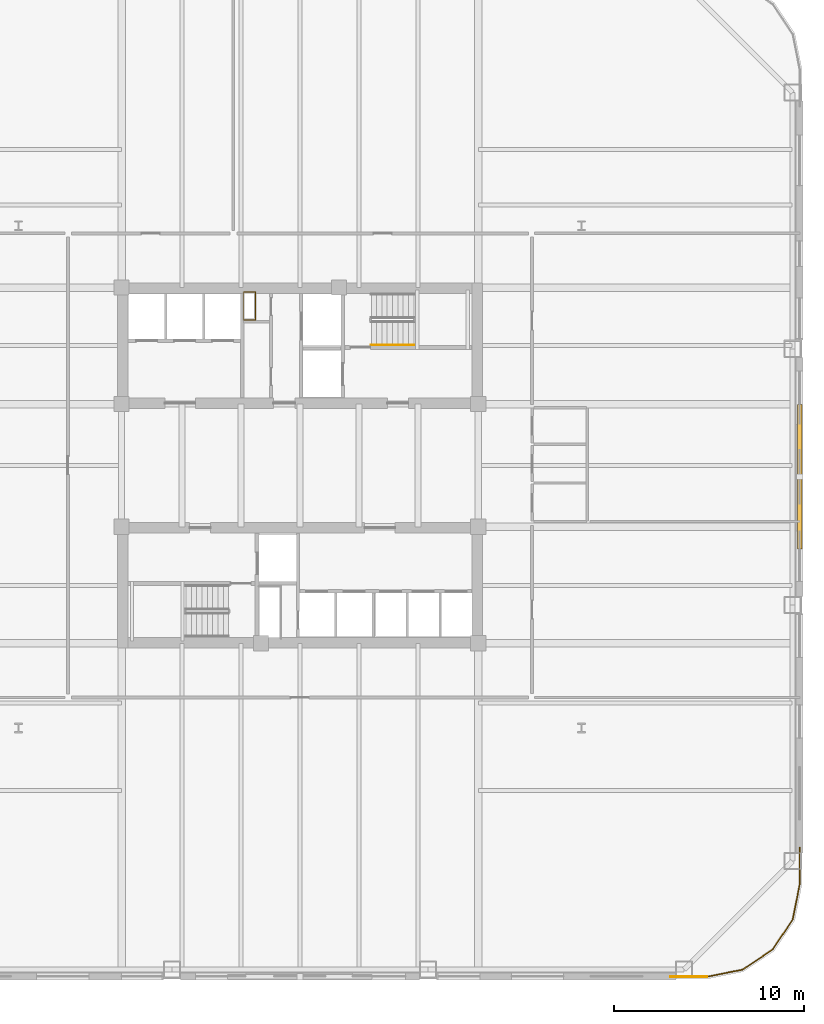
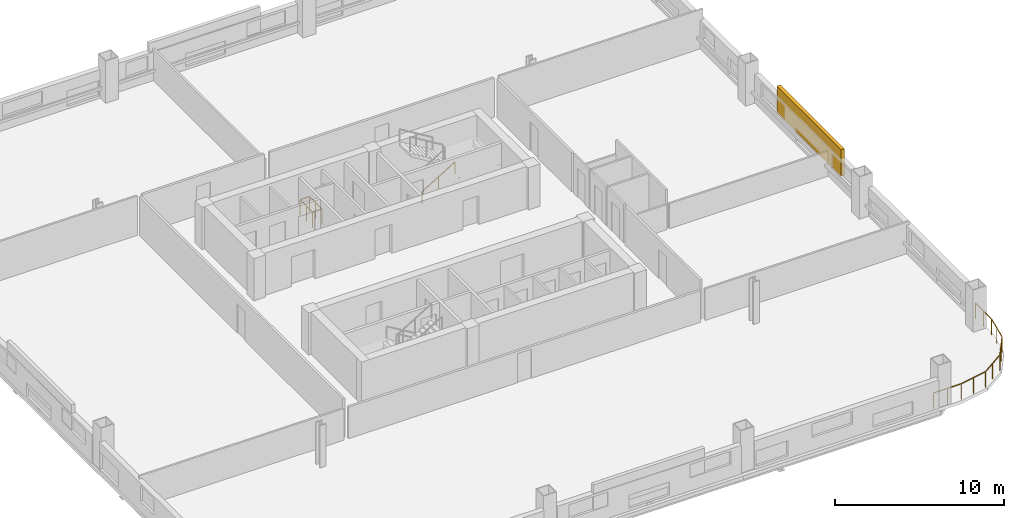
# One storey, part 8 of 11: 4 railings, 1 shading device.
"""IFC4 building model written with IfcOpenShell, lengths in metres."""

from ifc_helpers import new_model, si_unit, direction, frame, origin, origin_2d, place, context, subcontext, project, spatial, rectangle, extrude, material, type_object, element, save


model = new_model("IFC4")

# Units and contexts
model_context = context("Model", 3, precision=1e-05, world=origin(), true_north=direction((0.0, 1.0)))
body_context = subcontext(model_context, "Body", "Model", "MODEL_VIEW")
ifc_project = project(units=[si_unit("LENGTHUNIT", "METRE"), si_unit("AREAUNIT", "SQUARE_METRE"), si_unit("VOLUMEUNIT", "CUBIC_METRE"), si_unit("PLANEANGLEUNIT", "RADIAN"), si_unit("MASSUNIT", "GRAM", prefix="KILO")], contexts=[model_context])

# Site, building, storey
site_placement = place(None, origin())
site = spatial("IfcSite", under=ifc_project, at=site_placement, CompositionType="ELEMENT")
building_placement = place(site_placement, origin())
building = spatial("IfcBuilding", under=site, at=building_placement, Name="Qhalaya Broadcast Tower", CompositionType="ELEMENT")
storey_placement = place(building_placement, frame((0.0, 0.0, 29.14990234375)))
storey = spatial("IfcBuildingStorey", under=building, at=storey_placement, Name="L07", CompositionType="ELEMENT", Elevation=29.14990234375)

# Railings
ifc_material_1 = material(Name="Powder-Coated Galvanised Steel", Category="steel")
railing_type_1 = type_object("IfcRailingType", Name="Stair Wall Handrail 900", PredefinedType="HANDRAIL", material=ifc_material_1)
railing_1_placement = place(storey_placement, frame((3.75, 6.929931640625, 0.16943359375)))
element("IfcRailing", 1, at=railing_1_placement, inside=storey, type_object=railing_type_1, Name="L07 ST-1 Stair Handrail 1", PredefinedType="HANDRAIL", context=body_context, shape_type="SweptSolid", body=[
    extrude(rectangle(XDim=0.048095703125, YDim=0.048095703125, at=origin_2d()), frame((0.0, 0.0, 0.8759765625), z_axis=(0.855512035549, 0.0, 0.517782924622), x_axis=(0.0, 1.0, 0.0)), (0.0, 0.0, 1.0), 2.618408203125),
    extrude(rectangle(XDim=0.0419921875, YDim=0.0419921875, at=origin_2d()), origin(), (0.0, 0.0, 1.0), 0.849853515625),
    extrude(rectangle(XDim=0.0419921875, YDim=0.0419921875, at=origin_2d()), frame((1.1201171875, 0.0, 0.677734375)), (0.0, 0.0, 1.0), 0.849853515625),
    extrude(rectangle(XDim=0.0419921875, YDim=0.0419921875, at=origin_2d()), frame((2.239990234375, 0.0, 1.355712890625)), (0.0, 0.0, 1.0), 0.849853515625),
])
railing_type_2 = type_object("IfcRailingType", Name="Stair Well & Landing Guardrail 1100", PredefinedType="GUARDRAIL", material=ifc_material_1)
railing_2_placement = place(storey_placement, frame((-2.340087890625, 8.239990234375, 0.0)))
element("IfcRailing", 2, at=railing_2_placement, inside=storey, type_object=railing_type_2, Name="L07 Service Riser Opening Safety Guard NRSR", PredefinedType="GUARDRAIL", context=body_context, shape_type="SweptSolid", body=[
    extrude(rectangle(XDim=0.048095703125, YDim=0.048095703125, at=origin_2d()), frame((0.0, 0.02880859375, 1.1259765625), z_axis=(0.0, 1.0, 0.0), x_axis=(-1.0, 0.0, 0.0)), (0.0, 0.0, 1.0), 1.42236328125),
    extrude(rectangle(XDim=0.048095703125, YDim=0.048095703125, at=origin_2d()), frame((-0.02880859375, 1.47998046875, 1.1259765625), z_axis=(-1.0, 0.0, 0.0), x_axis=(0.0, -1.0, 0.0)), (0.0, 0.0, 1.0), 0.582275390625),
    extrude(rectangle(XDim=0.048095703125, YDim=0.048095703125, at=origin_2d()), frame((-0.639892578125, 1.451171875, 1.1259765625), z_axis=(0.0, -1.0, 0.0), x_axis=(1.0, 0.0, 0.0)), (0.0, 0.0, 1.0), 1.42236328125),
    extrude(rectangle(XDim=0.048095703125, YDim=0.048095703125, at=origin_2d()), frame((-0.611083984375, 0.0, 1.1259765625), z_axis=(1.0, 0.0, 0.0), x_axis=(0.0, 1.0, 0.0)), (0.0, 0.0, 1.0), 0.582275390625),
    extrude(rectangle(XDim=0.0419921875, YDim=0.0419921875, at=origin_2d()), origin(), (0.0, 0.0, 1.0), 1.099853515625),
    extrude(rectangle(XDim=0.0419921875, YDim=0.0419921875, at=origin_2d()), frame((0.0, 0.739990234375, 0.0)), (0.0, 0.0, 1.0), 1.099853515625),
    extrude(rectangle(XDim=0.0419921875, YDim=0.0419921875, at=origin_2d()), frame((0.0, 1.47998046875, 0.0)), (0.0, 0.0, 1.0), 1.099853515625),
    extrude(rectangle(XDim=0.0419921875, YDim=0.0419921875, at=origin_2d()), frame((-0.639892578125, 1.47998046875, 0.0)), (0.0, 0.0, 1.0), 1.099853515625),
    extrude(rectangle(XDim=0.0419921875, YDim=0.0419921875, at=origin_2d()), frame((-0.639892578125, 0.739990234375, 0.0)), (0.0, 0.0, 1.0), 1.099853515625),
    extrude(rectangle(XDim=0.0419921875, YDim=0.0419921875, at=origin_2d()), frame((-0.639892578125, 0.0, 0.0)), (0.0, 0.0, 1.0), 1.099853515625),
])
railing_type_3 = type_object("IfcRailingType", Name="Terrace, Sky-Pool & Lookout Glass Balustrade 1150", PredefinedType="BALUSTRADE", material=ifc_material_1)
railing_3_placement = place(storey_placement, frame((21.38818359375, -26.280029296875, 0.0)))
element("IfcRailing", 3, at=railing_3_placement, inside=storey, type_object=railing_type_3, Name="L07 Rounded Corner Perimeter Guard 01", PredefinedType="BALUSTRADE", context=body_context, shape_type="SweptSolid", body=[
    extrude(rectangle(XDim=0.048095703125, YDim=0.048095703125, at=origin_2d()), frame((0.0, 0.0, 1.1259765625), z_axis=(-1.0, 0.0, 0.0), x_axis=(0.0, -1.0, 0.0)), (0.0, 0.0, 1.0), 1.90625),
    extrude(rectangle(XDim=0.0419921875, YDim=0.0419921875, at=origin_2d()), origin(), (0.0, 0.0, 1.0), 1.099853515625),
    extrude(rectangle(XDim=0.0419921875, YDim=0.0419921875, at=origin_2d()), frame((-0.953125, 0.0, 0.0)), (0.0, 0.0, 1.0), 1.099853515625),
    extrude(rectangle(XDim=0.0419921875, YDim=0.0419921875, at=origin_2d()), frame((-1.90625, 0.0, 0.0)), (0.0, 0.0, 1.0), 1.099853515625),
])
railing_4_placement = place(storey_placement, frame((26.280029296875, -19.48193359375, 0.0)))
element("IfcRailing", 4, at=railing_4_placement, inside=storey, type_object=railing_type_3, Name="L07 Rounded Corner Perimeter Guard 05", PredefinedType="BALUSTRADE", context=body_context, shape_type="SweptSolid", body=[
    extrude(rectangle(XDim=0.048095703125, YDim=0.048095703125, at=origin_2d()), frame((0.0, 0.0, 1.1259765625), z_axis=(0.0, -1.0, 0.0), x_axis=(1.0, 0.0, 0.0)), (0.0, 0.0, 1.0), 1.87744140625),
    extrude(rectangle(XDim=0.048095703125, YDim=0.048095703125, at=origin_2d()), frame((-0.005615234375, -1.9345703125, 1.1259765625), z_axis=(-0.195037378397, -0.980795810058, 0.0), x_axis=(0.980795810058, -0.195037378397, 0.0)), (0.0, 0.0, 1.0), 1.857421875),
    extrude(rectangle(XDim=0.048095703125, YDim=0.048095703125, at=origin_2d()), frame((-0.3896484375, -3.80859375, 1.1259765625), z_axis=(-0.555558355728, -0.831477548332, 0.0), x_axis=(0.831477548332, -0.555558355728, 0.0)), (0.0, 0.0, 1.0), 1.845458984375),
    extrude(rectangle(XDim=0.048095703125, YDim=0.048095703125, at=origin_2d()), frame((-1.454833984375, -5.38330078125, 1.1259765625), z_axis=(-0.831477548332, -0.555558355728, 0.0), x_axis=(0.555558355728, -0.831477548332, 0.0)), (0.0, 0.0, 1.0), 1.845458984375),
    extrude(rectangle(XDim=0.048095703125, YDim=0.048095703125, at=origin_2d()), frame((-3.041748046875, -6.43017578125, 1.1259765625), z_axis=(-0.980795810058, -0.195037378397, 0.0), x_axis=(0.195037378397, -0.980795810058, 0.0)), (0.0, 0.0, 1.0), 1.88623046875),
    extrude(rectangle(XDim=0.0419921875, YDim=0.0419921875, at=origin_2d()), origin(), (0.0, 0.0, 1.0), 1.099853515625),
    extrude(rectangle(XDim=0.0419921875, YDim=0.0419921875, at=origin_2d()), frame((0.0, -0.953125, 0.0)), (0.0, 0.0, 1.0), 1.099853515625),
    extrude(rectangle(XDim=0.0419921875, YDim=0.0419921875, at=origin_2d()), frame((0.0, -1.90625, 0.0)), (0.0, 0.0, 1.0), 1.099853515625),
    extrude(rectangle(XDim=0.0419921875, YDim=0.0419921875, at=origin_2d()), frame((-0.186767578125, -2.845458984375, 0.0)), (0.0, 0.0, 1.0), 1.099853515625),
    extrude(rectangle(XDim=0.0419921875, YDim=0.0419921875, at=origin_2d()), frame((-0.37353515625, -3.78466796875, 0.0)), (0.0, 0.0, 1.0), 1.099853515625),
    extrude(rectangle(XDim=0.0419921875, YDim=0.0419921875, at=origin_2d()), frame((-0.90234375, -4.575927734375, 0.0)), (0.0, 0.0, 1.0), 1.099853515625),
    extrude(rectangle(XDim=0.0419921875, YDim=0.0419921875, at=origin_2d()), frame((-1.430908203125, -5.3671875, 0.0)), (0.0, 0.0, 1.0), 1.099853515625),
    extrude(rectangle(XDim=0.0419921875, YDim=0.0419921875, at=origin_2d()), frame((-2.22216796875, -5.89599609375, 0.0)), (0.0, 0.0, 1.0), 1.099853515625),
    extrude(rectangle(XDim=0.0419921875, YDim=0.0419921875, at=origin_2d()), frame((-3.013427734375, -6.424560546875, 0.0)), (0.0, 0.0, 1.0), 1.099853515625),
    extrude(rectangle(XDim=0.0419921875, YDim=0.0419921875, at=origin_2d()), frame((-3.95263671875, -6.611328125, 0.0)), (0.0, 0.0, 1.0), 1.099853515625),
    extrude(rectangle(XDim=0.0419921875, YDim=0.0419921875, at=origin_2d()), frame((-4.891845703125, -6.798095703125, 0.0)), (0.0, 0.0, 1.0), 1.099853515625),
])

# Shading device
ifc_material_2 = material(Name="Fired Architectural Terracotta", Category="masonry")
shading_device_type = type_object("IfcShadingDeviceType", Name="Terracotta Baguette Solar Screen Assembly TBS-01", PredefinedType="USERDEFINED", material=ifc_material_2)
shading_device_placement = place(storey_placement, frame((26.280029296875, 0.0, 0.79248046875), z_axis=(0.0, 0.0, 1.0), x_axis=(0.0, 1.0, 0.0)))
element("IfcShadingDevice", 5, at=shading_device_placement, inside=storey, type_object=shading_device_type, Name="L07 Fired Terracotta Baguette Screen E", ObjectType="BAGUETTE", PredefinedType="USERDEFINED", context=body_context, shape_type="SweptSolid", body=[
    extrude(rectangle(XDim=7.60009765625, YDim=0.239990234375, at=origin_2d()), origin(), (0.0, 0.0, 1.0), 1.924072265625),
])

save(model, "model.ifc")
